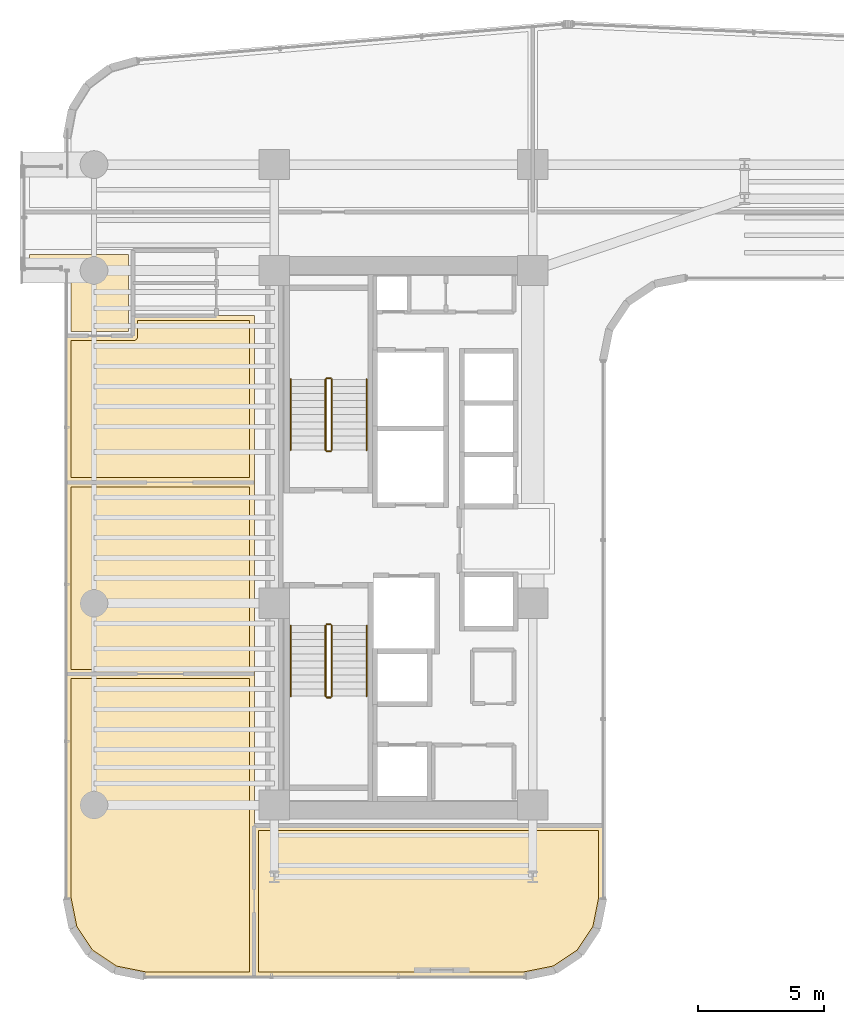
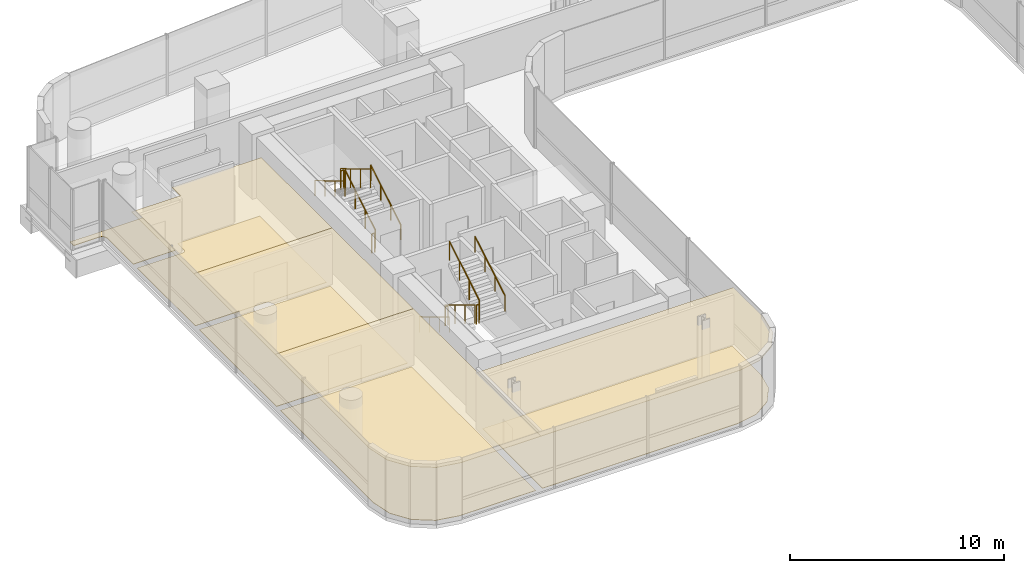
# One storey, part 31 of 34: 12 railings, 9 coverings.
"""IFC4 building model written with IfcOpenShell, lengths in metres."""

from ifc_helpers import new_model, si_unit, direction, frame, origin, origin_2d, place, context, subcontext, project, spatial, polyline, circle, outline, extrude, material, layer, layer_set, type_object, element, save


model = new_model("IFC4")

# Units and contexts
model_context = context("Model", 3, precision=1e-05, world=origin(), true_north=direction((0.0, 1.0)))
body_context = subcontext(model_context, "Body", "Model", "MODEL_VIEW")
ifc_project = project(units=[si_unit("LENGTHUNIT", "METRE"), si_unit("AREAUNIT", "SQUARE_METRE"), si_unit("VOLUMEUNIT", "CUBIC_METRE"), si_unit("PLANEANGLEUNIT", "RADIAN"), si_unit("MASSUNIT", "GRAM", prefix="KILO")], contexts=[model_context])

# Site, building, storey
site_placement = place(None, origin())
site = spatial("IfcSite", under=ifc_project, at=site_placement, CompositionType="ELEMENT")
building_placement = place(site_placement, origin())
building = spatial("IfcBuilding", under=site, at=building_placement, Name="Valdorenza Pilgrim Sanctuary Tower", CompositionType="ELEMENT")
storey_placement = place(building_placement, frame((0.0, 0.0, 120.5)))
storey = spatial("IfcBuildingStorey", under=building, at=storey_placement, Name="L30", CompositionType="ELEMENT", Elevation=120.5)

# Coverings
ifc_material_1 = material(Name="Micro-perforated acoustic mineral ceiling tile", Category="gypsum")
ifc_layer_1 = layer(ifc_material_1, 0.02490234375, Name="Micro-perforated acoustic mineral ceiling tile")
ifc_layer_set_1 = layer_set([ifc_layer_1], Name="Micro-perforated acoustic mineral ceiling tile")
covering_type_1 = type_object("IfcCoveringType", Name="COV-CLG-ACU", PredefinedType="CEILING", material=ifc_layer_set_1)
covering_1_placement = place(storey_placement, frame((0.0, 0.0, 3.159912109375)))
element("IfcCovering", 1, at=covering_1_placement, inside=storey, type_object=covering_type_1, Name="L30 Sacred Archive Reading Library L30-S1 Acoustic Ceiling", PredefinedType="CEILING", context=body_context, shape_type="SweptSolid", body=[
    extrude(outline(polyline([(-23.43505859375, -17.389892578125), (-23.43505859375, -17.3916015625), (-23.435302734375, -17.392822265625), (-23.435546875, -17.394287109375), (-23.43603515625, -17.395751953125), (-23.436767578125, -17.397216796875), (-23.4375, -17.398193359375), (-23.4384765625, -17.3994140625), (-23.439453125, -17.400634765625), (-23.4404296875, -17.401611328125), (-23.441650390625, -17.402587890625), (-23.44287109375, -17.4033203125), (-23.4443359375, -17.40380859375), (-23.445556640625, -17.404296875), (-23.447021484375, -17.40478515625), (-23.448486328125, -17.40478515625), (-23.449951171875, -17.405029296875), (-27.789306640625, -17.405029296875), (-27.79052734375, -17.40478515625), (-27.7919921875, -17.40478515625), (-28.984619140625, -17.16748046875), (-28.986083984375, -17.1669921875), (-28.9873046875, -17.16650390625), (-28.98876953125, -17.166015625), (-28.989990234375, -17.165283203125), (-29.99169921875, -16.495849609375), (-29.992919921875, -16.4951171875), (-29.993896484375, -16.493896484375), (-29.9951171875, -16.492919921875), (-29.995849609375, -16.49169921875), (-30.665283203125, -15.489990234375), (-30.666015625, -15.48876953125), (-30.66650390625, -15.4873046875), (-30.6669921875, -15.486083984375), (-30.66748046875, -15.484619140625), (-30.90478515625, -14.2919921875), (-30.90478515625, -14.29052734375), (-30.905029296875, -14.289306640625), (-30.905029296875, -5.39990234375), (-30.90478515625, -5.3984375), (-30.90478515625, -5.397216796875), (-30.904296875, -5.3955078125), (-30.90380859375, -5.394287109375), (-30.9033203125, -5.392822265625), (-30.902587890625, -5.3916015625), (-30.901611328125, -5.390380859375), (-30.900634765625, -5.389404296875), (-30.8994140625, -5.388427734375), (-30.898193359375, -5.387451171875), (-30.897216796875, -5.38671875), (-30.895751953125, -5.385986328125), (-30.894287109375, -5.385498046875), (-30.892822265625, -5.38525390625), (-30.8916015625, -5.385009765625), (-30.889892578125, -5.385009765625), (-23.449951171875, -5.385009765625), (-23.448486328125, -5.385009765625), (-23.447021484375, -5.38525390625), (-23.445556640625, -5.385498046875), (-23.4443359375, -5.385986328125), (-23.44287109375, -5.38671875), (-23.441650390625, -5.387451171875), (-23.4404296875, -5.388427734375), (-23.439453125, -5.389404296875), (-23.4384765625, -5.390380859375), (-23.4375, -5.3916015625), (-23.436767578125, -5.392822265625), (-23.43603515625, -5.394287109375), (-23.435546875, -5.3955078125), (-23.435302734375, -5.397216796875), (-23.43505859375, -5.3984375), (-23.43505859375, -5.39990234375), (-23.43505859375, -17.389892578125)])), origin(), (0.0, 0.0, 1.0), 0.025146484375),
])
covering_2_placement = place(storey_placement, frame((0.0, 0.0, 3.159912109375)))
element("IfcCovering", 2, at=covering_2_placement, inside=storey, type_object=covering_type_1, Name="L30 Sanctuary Tea Lounge L30 Acoustic Ceiling", PredefinedType="CEILING", context=body_context, shape_type="SweptSolid", body=[
    extrude(outline(polyline([(-23.43505859375, -5.39794921875), (-23.43505859375, -5.3994140625), (-23.435302734375, -5.40087890625), (-23.435546875, -5.40234375), (-23.43603515625, -5.40380859375), (-23.436767578125, -5.405029296875), (-23.4375, -5.40625), (-23.4384765625, -5.407470703125), (-23.439453125, -5.40869140625), (-23.4404296875, -5.40966796875), (-23.441650390625, -5.410400390625), (-23.44287109375, -5.4111328125), (-23.4443359375, -5.411865234375), (-23.445556640625, -5.412353515625), (-23.447021484375, -5.41259765625), (-23.448486328125, -5.412841796875), (-23.449951171875, -5.4130859375), (-30.889892578125, -5.4130859375), (-30.8916015625, -5.412841796875), (-30.892822265625, -5.41259765625), (-30.894287109375, -5.412353515625), (-30.895751953125, -5.411865234375), (-30.897216796875, -5.4111328125), (-30.898193359375, -5.410400390625), (-30.8994140625, -5.40966796875), (-30.900634765625, -5.40869140625), (-30.901611328125, -5.407470703125), (-30.902587890625, -5.40625), (-30.9033203125, -5.405029296875), (-30.90380859375, -5.40380859375), (-30.904296875, -5.40234375), (-30.90478515625, -5.40087890625), (-30.90478515625, -5.3994140625), (-30.905029296875, -5.39794921875), (-30.905029296875, 2.199951171875), (-30.90478515625, 2.201416015625), (-30.90478515625, 2.202880859375), (-30.904296875, 2.204345703125), (-30.90380859375, 2.205810546875), (-30.9033203125, 2.20703125), (-30.902587890625, 2.208251953125), (-30.901611328125, 2.20947265625), (-30.900634765625, 2.210693359375), (-30.8994140625, 2.211669921875), (-30.898193359375, 2.21240234375), (-30.897216796875, 2.213134765625), (-30.895751953125, 2.2138671875), (-30.894287109375, 2.21435546875), (-30.892822265625, 2.214599609375), (-30.8916015625, 2.21484375), (-30.889892578125, 2.215087890625), (-23.449951171875, 2.215087890625), (-23.448486328125, 2.21484375), (-23.447021484375, 2.214599609375), (-23.445556640625, 2.21435546875), (-23.4443359375, 2.2138671875), (-23.44287109375, 2.213134765625), (-23.441650390625, 2.21240234375), (-23.4404296875, 2.211669921875), (-23.439453125, 2.210693359375), (-23.4384765625, 2.20947265625), (-23.4375, 2.208251953125), (-23.436767578125, 2.20703125), (-23.43603515625, 2.205810546875), (-23.435546875, 2.204345703125), (-23.435302734375, 2.202880859375), (-23.43505859375, 2.201416015625), (-23.43505859375, 2.199951171875), (-23.43505859375, -5.39794921875)])), origin(), (0.0, 0.0, 1.0), 0.025146484375),
])
covering_3_placement = place(storey_placement, frame((0.0, 0.0, 3.159912109375)))
element("IfcCovering", 3, at=covering_3_placement, inside=storey, type_object=covering_type_1, Name="L30 Contemplative Movement Studio L30 Acoustic Ceiling", PredefinedType="CEILING", context=body_context, shape_type="SweptSolid", body=[
    extrude(outline(polyline([(-28.262939453125, 8.012939453125), (-28.262939453125, 8.798095703125), (-28.262939453125, 8.799560546875), (-28.2626953125, 8.80078125), (-28.262451171875, 8.802490234375), (-28.261962890625, 8.8037109375), (-28.26123046875, 8.80517578125), (-28.260498046875, 8.806396484375), (-28.259521484375, 8.8076171875), (-28.258544921875, 8.80859375), (-28.257568359375, 8.8095703125), (-28.25634765625, 8.810546875), (-28.255126953125, 8.811279296875), (-28.253662109375, 8.81201171875), (-28.25244140625, 8.8125), (-28.2509765625, 8.812744140625), (-28.24951171875, 8.81298828125), (-28.248046875, 8.81298828125), (-24.955322265625, 8.81298828125), (-24.954833984375, 8.813232421875), (-24.95361328125, 8.81396484375), (-24.9521484375, 8.814453125), (-24.95068359375, 8.814697265625), (-24.949462890625, 8.81494140625), (-24.947998046875, 8.81494140625), (-23.449951171875, 8.81494140625), (-23.448486328125, 8.81494140625), (-23.447021484375, 8.814697265625), (-23.445556640625, 8.814453125), (-23.4443359375, 8.81396484375), (-23.44287109375, 8.813232421875), (-23.441650390625, 8.8125), (-23.4404296875, 8.8115234375), (-23.439453125, 8.810546875), (-23.4384765625, 8.8095703125), (-23.4375, 8.808349609375), (-23.436767578125, 8.80712890625), (-23.43603515625, 8.8056640625), (-23.435546875, 8.804443359375), (-23.435302734375, 8.802978515625), (-23.43505859375, 8.801513671875), (-23.43505859375, 8.800048828125), (-23.43505859375, 2.201904296875), (-23.43505859375, 2.200439453125), (-23.435302734375, 2.19921875), (-23.435546875, 2.197509765625), (-23.43603515625, 2.1962890625), (-23.436767578125, 2.19482421875), (-23.4375, 2.193603515625), (-23.4384765625, 2.1923828125), (-23.439453125, 2.19140625), (-23.4404296875, 2.1904296875), (-23.441650390625, 2.189453125), (-23.44287109375, 2.188720703125), (-23.4443359375, 2.18798828125), (-23.445556640625, 2.1875), (-23.447021484375, 2.187255859375), (-23.448486328125, 2.18701171875), (-23.449951171875, 2.18701171875), (-30.889892578125, 2.18701171875), (-30.8916015625, 2.18701171875), (-30.892822265625, 2.187255859375), (-30.894287109375, 2.1875), (-30.895751953125, 2.18798828125), (-30.897216796875, 2.188720703125), (-30.898193359375, 2.189453125), (-30.8994140625, 2.1904296875), (-30.900634765625, 2.19140625), (-30.901611328125, 2.1923828125), (-30.902587890625, 2.193603515625), (-30.9033203125, 2.19482421875), (-30.90380859375, 2.1962890625), (-30.904296875, 2.197509765625), (-30.90478515625, 2.19921875), (-30.90478515625, 2.200439453125), (-30.905029296875, 2.201904296875), (-30.905029296875, 7.998046875), (-30.90478515625, 7.99951171875), (-30.90478515625, 8.0009765625), (-30.904296875, 8.00244140625), (-30.90380859375, 8.003662109375), (-30.9033203125, 8.005126953125), (-30.902587890625, 8.00634765625), (-30.901611328125, 8.007568359375), (-30.900634765625, 8.008544921875), (-30.8994140625, 8.009521484375), (-30.898193359375, 8.010498046875), (-30.897216796875, 8.01123046875), (-30.895751953125, 8.011962890625), (-30.894287109375, 8.012451171875), (-30.892822265625, 8.0126953125), (-30.8916015625, 8.012939453125), (-30.889892578125, 8.012939453125), (-28.262939453125, 8.012939453125)])), origin(), (0.0, 0.0, 1.0), 0.025146484375),
])
covering_4_placement = place(storey_placement, frame((0.0, 0.0, 3.159912109375)))
element("IfcCovering", 4, at=covering_4_placement, inside=storey, type_object=covering_type_1, Name="L30 Sacred Archive Reading Library L30-S Acoustic Ceiling", PredefinedType="CEILING", context=body_context, shape_type="SweptSolid", body=[
    extrude(outline(polyline([(-9.610107421875, -11.405029296875), (-9.6083984375, -11.405029296875), (-9.607177734375, -11.4052734375), (-9.605712890625, -11.405517578125), (-9.604248046875, -11.406005859375), (-9.602783203125, -11.40673828125), (-9.601806640625, -11.407470703125), (-9.6005859375, -11.408447265625), (-9.599365234375, -11.409423828125), (-9.598388671875, -11.410400390625), (-9.597412109375, -11.41162109375), (-9.5966796875, -11.412841796875), (-9.59619140625, -11.414306640625), (-9.595703125, -11.41552734375), (-9.59521484375, -11.4169921875), (-9.59521484375, -11.41845703125), (-9.594970703125, -11.419921875), (-9.594970703125, -14.289306640625), (-9.59521484375, -14.29052734375), (-9.59521484375, -14.2919921875), (-9.83251953125, -15.484619140625), (-9.8330078125, -15.486083984375), (-9.83349609375, -15.4873046875), (-9.833984375, -15.48876953125), (-9.834716796875, -15.489990234375), (-10.504150390625, -16.49169921875), (-10.5048828125, -16.492919921875), (-10.506103515625, -16.493896484375), (-10.507080078125, -16.4951171875), (-10.50830078125, -16.495849609375), (-11.510009765625, -17.165283203125), (-11.51123046875, -17.166015625), (-11.5126953125, -17.16650390625), (-11.513916015625, -17.1669921875), (-11.515380859375, -17.16748046875), (-12.7080078125, -17.40478515625), (-12.70947265625, -17.40478515625), (-12.710693359375, -17.405029296875), (-23.447998046875, -17.405029296875), (-23.449462890625, -17.40478515625), (-23.450927734375, -17.40478515625), (-23.452392578125, -17.404296875), (-23.45361328125, -17.40380859375), (-23.455078125, -17.4033203125), (-23.456298828125, -17.402587890625), (-23.45751953125, -17.401611328125), (-23.45849609375, -17.400634765625), (-23.459716796875, -17.3994140625), (-23.46044921875, -17.398193359375), (-23.461181640625, -17.397216796875), (-23.4619140625, -17.395751953125), (-23.46240234375, -17.394287109375), (-23.462646484375, -17.392822265625), (-23.462890625, -17.3916015625), (-23.462890625, -17.389892578125), (-23.462890625, -11.419921875), (-23.462890625, -11.41845703125), (-23.462646484375, -11.4169921875), (-23.46240234375, -11.41552734375), (-23.4619140625, -11.414306640625), (-23.461181640625, -11.412841796875), (-23.46044921875, -11.41162109375), (-23.459716796875, -11.410400390625), (-23.45849609375, -11.409423828125), (-23.45751953125, -11.408447265625), (-23.456298828125, -11.407470703125), (-23.455078125, -11.40673828125), (-23.45361328125, -11.406005859375), (-23.452392578125, -11.405517578125), (-23.450927734375, -11.4052734375), (-23.449462890625, -11.405029296875), (-23.447998046875, -11.405029296875), (-9.610107421875, -11.405029296875)])), origin(), (0.0, 0.0, 1.0), 0.025146484375),
])
ifc_material_2 = material(Name="Honed travertine stone flooring", Category="masonry")
ifc_layer_2 = layer(ifc_material_2, 0.030029296875, Name="Honed travertine stone flooring")
ifc_layer_set_2 = layer_set([ifc_layer_2], Name="Honed travertine stone flooring")
covering_type_2 = type_object("IfcCoveringType", Name="COV-FLR-TRV", PredefinedType="FLOORING", material=ifc_layer_set_2)
covering_5_placement = place(storey_placement, origin())
element("IfcCovering", 5, at=covering_5_placement, inside=storey, type_object=covering_type_2, Name="L30 Sacred Archive Reading Library L30-S1 Flooring", PredefinedType="FLOORING", context=body_context, shape_type="SweptSolid", body=[
    extrude(outline(polyline([(-23.6298828125, -17.2099609375), (-27.771484375, -17.2099609375), (-28.911376953125, -16.983154296875), (-29.853515625, -16.353515625), (-30.483154296875, -15.411376953125), (-30.7099609375, -14.271484375), (-30.7099609375, -5.580078125), (-23.6298828125, -5.580078125), (-23.6298828125, -17.2099609375)])), origin(), (0.0, 0.0, 1.0), 0.02490234375),
])
covering_6_placement = place(storey_placement, origin())
element("IfcCovering", 6, at=covering_6_placement, inside=storey, type_object=covering_type_2, Name="L30 North Contemplation Lounge L30 Flooring", PredefinedType="FLOORING", context=body_context, shape_type="SweptSolid", body=[
    extrude(outline(polyline([(-28.431884765625, 11.239990234375), (-28.431884765625, 10.10205078125), (-28.431884765625, 10.10107421875), (-28.431884765625, 10.100341796875), (-28.431884765625, 10.10009765625), (-28.431884765625, 8.800048828125), (-28.431884765625, 8.799560546875), (-28.430419921875, 8.179931640625), (-30.7099609375, 8.179931640625), (-30.7099609375, 10.60009765625), (-30.710205078125, 10.60888671875), (-30.710693359375, 10.61962890625), (-30.71240234375, 10.63720703125), (-30.714111328125, 10.64794921875), (-30.717529296875, 10.665283203125), (-30.72021484375, 10.67578125), (-30.725341796875, 10.692626953125), (-30.72900390625, 10.70263671875), (-30.735595703125, 10.718994140625), (-30.740234375, 10.728759765625), (-30.74853515625, 10.744384765625), (-30.754150390625, 10.753662109375), (-30.763916015625, 10.768310546875), (-30.7705078125, 10.777099609375), (-30.781494140625, 10.790771484375), (-30.788818359375, 10.798583984375), (-30.80126953125, 10.811279296875), (-30.809326171875, 10.818359375), (-30.822998046875, 10.82958984375), (-30.831787109375, 10.8359375), (-30.84619140625, 10.845947265625), (-30.855712890625, 10.851318359375), (-30.87109375, 10.859619140625), (-30.880859375, 10.8642578125), (-30.897216796875, 10.87109375), (-30.907470703125, 10.874755859375), (-30.92431640625, 10.8798828125), (-30.934814453125, 10.882568359375), (-30.9521484375, 10.885986328125), (-30.962890625, 10.887451171875), (-30.98046875, 10.889404296875), (-30.9912109375, 10.889892578125), (-31.0, 10.889892578125), (-32.360107421875, 10.889892578125), (-32.360107421875, 11.239990234375), (-28.431884765625, 11.239990234375)])), origin(), (0.0, 0.0, 1.0), 0.02490234375),
])
covering_7_placement = place(storey_placement, origin())
element("IfcCovering", 7, at=covering_7_placement, inside=storey, type_object=covering_type_2, Name="L30 Sanctuary Tea Lounge L30 Flooring", PredefinedType="FLOORING", context=body_context, shape_type="SweptSolid", body=[
    extrude(outline(polyline([(-23.6298828125, -5.218017578125), (-30.7099609375, -5.218017578125), (-30.7099609375, 2.02001953125), (-23.6298828125, 2.02001953125), (-23.6298828125, -5.218017578125)])), origin(), (0.0, 0.0, 1.0), 0.02490234375),
])
covering_8_placement = place(storey_placement, origin())
element("IfcCovering", 8, at=covering_8_placement, inside=storey, type_object=covering_type_2, Name="L30 Contemplative Movement Studio L30 Flooring", PredefinedType="FLOORING", context=body_context, shape_type="SweptSolid", body=[
    extrude(outline(polyline([(-23.6298828125, 8.619873046875), (-23.6298828125, 2.382080078125), (-30.7099609375, 2.382080078125), (-30.7099609375, 7.818115234375), (-28.25, 7.818115234375), (-28.2412109375, 7.818115234375), (-28.240966796875, 7.818115234375), (-28.223388671875, 7.820068359375), (-28.22314453125, 7.820068359375), (-28.205810546875, 7.823486328125), (-28.205810546875, 7.823486328125), (-28.188720703125, 7.82861328125), (-28.188720703125, 7.82861328125), (-28.17236328125, 7.83544921875), (-28.172119140625, 7.83544921875), (-28.156494140625, 7.84375), (-28.156494140625, 7.843994140625), (-28.1416015625, 7.853759765625), (-28.1416015625, 7.85400390625), (-28.1279296875, 7.864990234375), (-28.127685546875, 7.865234375), (-28.115234375, 7.877685546875), (-28.114990234375, 7.8779296875), (-28.10400390625, 7.8916015625), (-28.103759765625, 7.8916015625), (-28.093994140625, 7.906494140625), (-28.09375, 7.906494140625), (-28.08544921875, 7.922119140625), (-28.08544921875, 7.92236328125), (-28.07861328125, 7.938720703125), (-28.07861328125, 7.938720703125), (-28.073486328125, 7.955810546875), (-28.073486328125, 7.955810546875), (-28.070068359375, 7.97314453125), (-28.070068359375, 7.973388671875), (-28.068115234375, 7.990966796875), (-28.068115234375, 7.9912109375), (-28.068115234375, 8.0), (-28.068115234375, 8.617919921875), (-24.949951171875, 8.617919921875), (-24.94970703125, 8.617919921875), (-23.6298828125, 8.619873046875)])), origin(), (0.0, 0.0, 1.0), 0.02490234375),
])
covering_9_placement = place(storey_placement, origin())
element("IfcCovering", 9, at=covering_9_placement, inside=storey, type_object=covering_type_2, Name="L30 Sacred Archive Reading Library L30-S Flooring", PredefinedType="FLOORING", context=body_context, shape_type="SweptSolid", body=[
    extrude(outline(polyline([(-9.7900390625, -11.60009765625), (-9.7900390625, -14.271484375), (-10.016845703125, -15.411376953125), (-10.646484375, -16.353515625), (-11.588623046875, -16.983154296875), (-12.728515625, -17.2099609375), (-23.26806640625, -17.2099609375), (-23.26806640625, -11.60009765625), (-9.7900390625, -11.60009765625)])), origin(), (0.0, 0.0, 1.0), 0.02490234375),
])

# Railings
ifc_material_3 = material(Name="Stainless steel Grade 316", Category="steel")
railing_type_1 = type_object("IfcRailingType", Name="RLG-GRD-1120", PredefinedType="GUARDRAIL", material=ifc_material_3)
railing_1_placement = place(storey_placement, frame((-20.3701171875, 3.47998046875, 0.168212890625)))
element("IfcRailing", 10, at=railing_1_placement, inside=storey, type_object=railing_type_1, Name="L30 ST-A1 stair guard 1", PredefinedType="GUARDRAIL", context=body_context, shape_type="SweptSolid", body=[
    extrude(circle(Radius=0.02392578125, at=origin_2d()), frame((0.0, 0.0, 1.076171875), z_axis=(0.0, 0.857242210791, 0.514913383045), x_axis=(-1.0, 0.0, 0.0)), (0.0, 0.0, 1.0), 3.266357421875),
    extrude(circle(Radius=0.02099609375, at=origin_2d()), origin(), (0.0, 0.0, 1.0), 1.052001953125),
    extrude(circle(Radius=0.02099609375, at=origin_2d()), frame((0.0, 0.933349609375, 0.560546875)), (0.0, 0.0, 1.0), 1.052001953125),
    extrude(circle(Radius=0.02099609375, at=origin_2d()), frame((0.0, 1.86669921875, 1.121337890625)), (0.0, 0.0, 1.0), 1.052001953125),
    extrude(circle(Radius=0.02099609375, at=origin_2d()), frame((0.0, 2.800048828125, 1.681884765625)), (0.0, 0.0, 1.0), 1.052001953125),
])
railing_2_placement = place(storey_placement, frame((-20.419921875, 6.330078125, 1.85009765625)))
element("IfcRailing", 11, at=railing_2_placement, inside=storey, type_object=railing_type_1, Name="L30 ST-A1 stair guard 2", PredefinedType="GUARDRAIL", context=body_context, shape_type="SweptSolid", body=[
    extrude(circle(Radius=0.02392578125, at=origin_2d()), frame((0.0, 0.0, 1.076171875), z_axis=(-1.0, 0.0, 0.0), x_axis=(0.0, -1.0, 0.0)), (0.0, 0.0, 1.0), 0.150146484375),
    extrude(circle(Radius=0.02099609375, at=origin_2d()), origin(), (0.0, 0.0, 1.0), 1.052001953125),
    extrude(circle(Radius=0.02099609375, at=origin_2d()), frame((-0.150146484375, 0.0, 0.0)), (0.0, 0.0, 1.0), 1.052001953125),
])
railing_3_placement = place(storey_placement, frame((-20.6201171875, 6.280029296875, 2.01806640625)))
element("IfcRailing", 12, at=railing_3_placement, inside=storey, type_object=railing_type_1, Name="L30 ST-A1 stair guard 3", PredefinedType="GUARDRAIL", context=body_context, shape_type="SweptSolid", body=[
    extrude(circle(Radius=0.02392578125, at=origin_2d()), frame((0.0, 0.0, 1.076171875), z_axis=(0.0, -0.857242210791, 0.514913383045), x_axis=(1.0, 0.0, 0.0)), (0.0, 0.0, 1.0), 3.266357421875),
    extrude(circle(Radius=0.02099609375, at=origin_2d()), origin(), (0.0, 0.0, 1.0), 1.052001953125),
    extrude(circle(Radius=0.02099609375, at=origin_2d()), frame((0.0, -0.933349609375, 0.560546875)), (0.0, 0.0, 1.0), 1.052001953125),
    extrude(circle(Radius=0.02099609375, at=origin_2d()), frame((0.0, -1.86669921875, 1.121337890625)), (0.0, 0.0, 1.0), 1.052001953125),
    extrude(circle(Radius=0.02099609375, at=origin_2d()), frame((0.0, -2.800048828125, 1.681884765625)), (0.0, 0.0, 1.0), 1.052001953125),
])
railing_4_placement = place(storey_placement, frame((-20.419921875, 3.429931640625, 0.0)))
element("IfcRailing", 13, at=railing_4_placement, inside=storey, type_object=railing_type_1, Name="L30 ST-A1 stair guard 4", PredefinedType="GUARDRAIL", context=body_context, shape_type="SweptSolid", body=[
    extrude(circle(Radius=0.02392578125, at=origin_2d()), frame((0.0, 0.0, 1.076171875), z_axis=(-1.0, 0.0, 0.0), x_axis=(0.0, -1.0, 0.0)), (0.0, 0.0, 1.0), 0.150146484375),
    extrude(circle(Radius=0.02099609375, at=origin_2d()), origin(), (0.0, 0.0, 1.0), 1.052001953125),
    extrude(circle(Radius=0.02099609375, at=origin_2d()), frame((-0.150146484375, 0.0, 0.0)), (0.0, 0.0, 1.0), 1.052001953125),
])
railing_5_placement = place(storey_placement, frame((-20.6201171875, -3.47998046875, 0.168212890625)))
element("IfcRailing", 14, at=railing_5_placement, inside=storey, type_object=railing_type_1, Name="L30 ST-A2 stair guard 1", PredefinedType="GUARDRAIL", context=body_context, shape_type="SweptSolid", body=[
    extrude(circle(Radius=0.02392578125, at=origin_2d()), frame((0.0, 0.0, 1.076171875), z_axis=(0.0, -0.857242210791, 0.514913383045), x_axis=(1.0, 0.0, 0.0)), (0.0, 0.0, 1.0), 3.266357421875),
    extrude(circle(Radius=0.02099609375, at=origin_2d()), origin(), (0.0, 0.0, 1.0), 1.052001953125),
    extrude(circle(Radius=0.02099609375, at=origin_2d()), frame((0.0, -0.933349609375, 0.560546875)), (0.0, 0.0, 1.0), 1.052001953125),
    extrude(circle(Radius=0.02099609375, at=origin_2d()), frame((0.0, -1.86669921875, 1.121337890625)), (0.0, 0.0, 1.0), 1.052001953125),
    extrude(circle(Radius=0.02099609375, at=origin_2d()), frame((0.0, -2.800048828125, 1.681884765625)), (0.0, 0.0, 1.0), 1.052001953125),
])
railing_6_placement = place(storey_placement, frame((-20.570068359375, -6.330078125, 1.85009765625)))
element("IfcRailing", 15, at=railing_6_placement, inside=storey, type_object=railing_type_1, Name="L30 ST-A2 stair guard 2", PredefinedType="GUARDRAIL", context=body_context, shape_type="SweptSolid", body=[
    extrude(circle(Radius=0.02392578125, at=origin_2d()), frame((0.0, 0.0, 1.076171875), z_axis=(1.0, 0.0, 0.0), x_axis=(0.0, 1.0, 0.0)), (0.0, 0.0, 1.0), 0.150146484375),
    extrude(circle(Radius=0.02099609375, at=origin_2d()), origin(), (0.0, 0.0, 1.0), 1.052001953125),
    extrude(circle(Radius=0.02099609375, at=origin_2d()), frame((0.150146484375, 0.0, 0.0)), (0.0, 0.0, 1.0), 1.052001953125),
])
railing_7_placement = place(storey_placement, frame((-20.3701171875, -6.280029296875, 2.01806640625)))
element("IfcRailing", 16, at=railing_7_placement, inside=storey, type_object=railing_type_1, Name="L30 ST-A2 stair guard 3", PredefinedType="GUARDRAIL", context=body_context, shape_type="SweptSolid", body=[
    extrude(circle(Radius=0.02392578125, at=origin_2d()), frame((0.0, 0.0, 1.076171875), z_axis=(0.0, 0.857242210791, 0.514913383045), x_axis=(-1.0, 0.0, 0.0)), (0.0, 0.0, 1.0), 3.266357421875),
    extrude(circle(Radius=0.02099609375, at=origin_2d()), origin(), (0.0, 0.0, 1.0), 1.052001953125),
    extrude(circle(Radius=0.02099609375, at=origin_2d()), frame((0.0, 0.933349609375, 0.560546875)), (0.0, 0.0, 1.0), 1.052001953125),
    extrude(circle(Radius=0.02099609375, at=origin_2d()), frame((0.0, 1.86669921875, 1.121337890625)), (0.0, 0.0, 1.0), 1.052001953125),
    extrude(circle(Radius=0.02099609375, at=origin_2d()), frame((0.0, 2.800048828125, 1.681884765625)), (0.0, 0.0, 1.0), 1.052001953125),
])
railing_8_placement = place(storey_placement, frame((-20.570068359375, -3.429931640625, 0.0)))
element("IfcRailing", 17, at=railing_8_placement, inside=storey, type_object=railing_type_1, Name="L30 ST-A2 stair guard 4", PredefinedType="GUARDRAIL", context=body_context, shape_type="SweptSolid", body=[
    extrude(circle(Radius=0.02392578125, at=origin_2d()), frame((0.0, 0.0, 1.076171875), z_axis=(1.0, 0.0, 0.0), x_axis=(0.0, 1.0, 0.0)), (0.0, 0.0, 1.0), 0.150146484375),
    extrude(circle(Radius=0.02099609375, at=origin_2d()), origin(), (0.0, 0.0, 1.0), 1.052001953125),
    extrude(circle(Radius=0.02099609375, at=origin_2d()), frame((0.150146484375, 0.0, 0.0)), (0.0, 0.0, 1.0), 1.052001953125),
])
ifc_material_4 = material(Name="Brushed stainless steel Grade 316", Category="steel")
railing_type_2 = type_object("IfcRailingType", Name="RLG-HND-920", PredefinedType="HANDRAIL", material=ifc_material_4)
railing_9_placement = place(storey_placement, frame((-18.989990234375, 3.47998046875, 0.168212890625)))
element("IfcRailing", 18, at=railing_9_placement, inside=storey, type_object=railing_type_2, Name="L30 ST-A1 stair handrail 1", PredefinedType="HANDRAIL", context=body_context, shape_type="SweptSolid", body=[
    extrude(circle(Radius=0.02392578125, at=origin_2d()), frame((0.0, 0.0, 0.8759765625), z_axis=(0.0, 0.857242210791, 0.514913383045), x_axis=(-1.0, 0.0, 0.0)), (0.0, 0.0, 1.0), 3.266357421875),
    extrude(circle(Radius=0.02099609375, at=origin_2d()), origin(), (0.0, 0.0, 1.0), 0.851806640625),
    extrude(circle(Radius=0.02099609375, at=origin_2d()), frame((0.0, 0.933349609375, 0.560546875)), (0.0, 0.0, 1.0), 0.851806640625),
    extrude(circle(Radius=0.02099609375, at=origin_2d()), frame((0.0, 1.86669921875, 1.121337890625)), (0.0, 0.0, 1.0), 0.851806640625),
    extrude(circle(Radius=0.02099609375, at=origin_2d()), frame((0.0, 2.800048828125, 1.681884765625)), (0.0, 0.0, 1.0), 0.851806640625),
])
for number, where, name in (
    (19, (-22.0, 6.280029296875, 2.01806640625), "L30 ST-A1 stair handrail 2"),
    (20, (-22.0, -3.47998046875, 0.168212890625), "L30 ST-A2 stair handrail 1"),
):
    element("IfcRailing", number, at=place(storey_placement, frame(where)), inside=storey, type_object=railing_type_2, Name=name, PredefinedType="HANDRAIL", context=body_context, shape_type="SweptSolid", body=[
        extrude(circle(Radius=0.02392578125, at=origin_2d()), frame((0.0, 0.0, 0.8759765625), z_axis=(0.0, -0.857242210791, 0.514913383045), x_axis=(1.0, 0.0, 0.0)), (0.0, 0.0, 1.0), 3.266357421875),
        extrude(circle(Radius=0.02099609375, at=origin_2d()), origin(), (0.0, 0.0, 1.0), 0.851806640625),
        extrude(circle(Radius=0.02099609375, at=origin_2d()), frame((0.0, -0.933349609375, 0.560546875)), (0.0, 0.0, 1.0), 0.851806640625),
        extrude(circle(Radius=0.02099609375, at=origin_2d()), frame((0.0, -1.86669921875, 1.121337890625)), (0.0, 0.0, 1.0), 0.851806640625),
        extrude(circle(Radius=0.02099609375, at=origin_2d()), frame((0.0, -2.800048828125, 1.681884765625)), (0.0, 0.0, 1.0), 0.851806640625),
    ])
railing_10_placement = place(storey_placement, frame((-18.989990234375, -6.280029296875, 2.01806640625)))
element("IfcRailing", 21, at=railing_10_placement, inside=storey, type_object=railing_type_2, Name="L30 ST-A2 stair handrail 2", PredefinedType="HANDRAIL", context=body_context, shape_type="SweptSolid", body=[
    extrude(circle(Radius=0.02392578125, at=origin_2d()), frame((0.0, 0.0, 0.8759765625), z_axis=(0.0, 0.857242210791, 0.514913383045), x_axis=(-1.0, 0.0, 0.0)), (0.0, 0.0, 1.0), 3.266357421875),
    extrude(circle(Radius=0.02099609375, at=origin_2d()), origin(), (0.0, 0.0, 1.0), 0.851806640625),
    extrude(circle(Radius=0.02099609375, at=origin_2d()), frame((0.0, 0.933349609375, 0.560546875)), (0.0, 0.0, 1.0), 0.851806640625),
    extrude(circle(Radius=0.02099609375, at=origin_2d()), frame((0.0, 1.86669921875, 1.121337890625)), (0.0, 0.0, 1.0), 0.851806640625),
    extrude(circle(Radius=0.02099609375, at=origin_2d()), frame((0.0, 2.800048828125, 1.681884765625)), (0.0, 0.0, 1.0), 0.851806640625),
])

save(model, "model.ifc")
